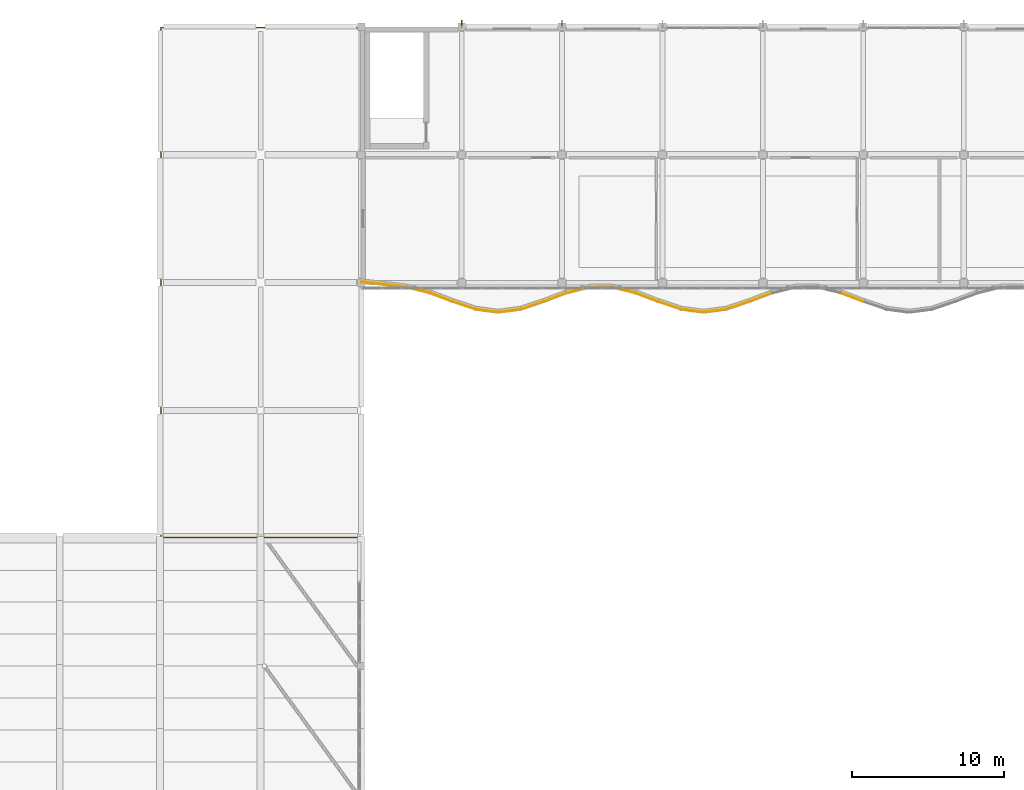
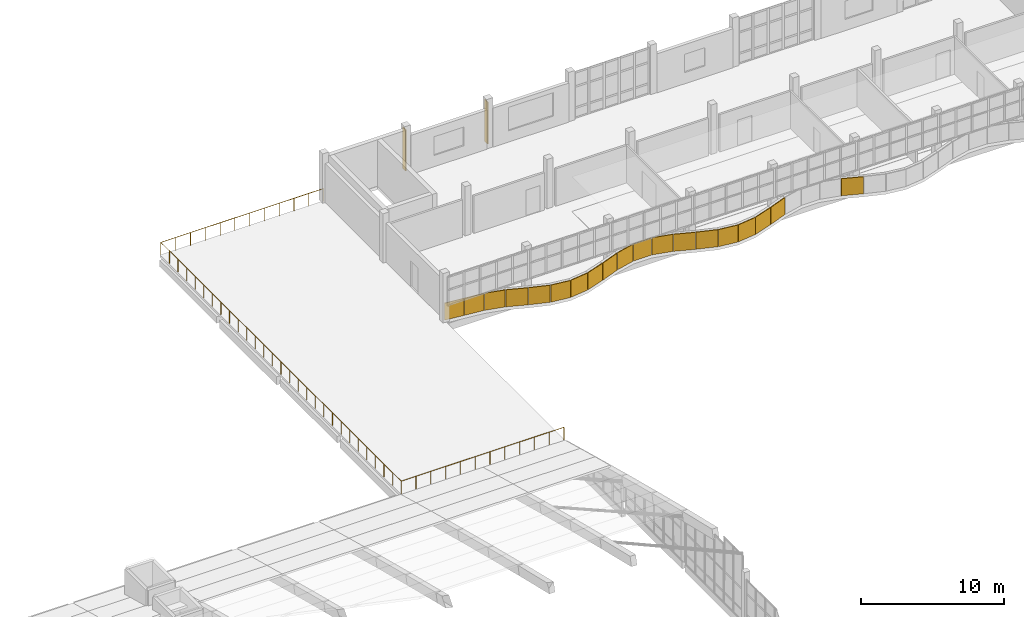
# One storey, part 72 of 78: 19 coverings, 2 shading devices, 1 railing.
"""IFC4 building model written with IfcOpenShell, lengths in metres."""

import ifcopenshell
import ifcopenshell.guid

model = None  # the IFC model being written
_history = None  # IfcOwnerHistory: only IFC2X3 demands one
_inside = {}  # id of a spatial element -> (the spatial element, [elements in it])
_under = {}  # id of a project, library or spatial element -> (it, [spatial elements below it])
_declared = {}  # id of a project -> (the project, [libraries it declares])
_typed = {}  # id of a type object -> (the type object, [elements of that type])
_made_of = {}  # id of a material, layer set ... -> (it, [elements and type objects made of it])


def new_model(schema):
    """Start an empty IFC model of exactly this schema.

    Asked for "IFC4X3", IfcOpenShell would pick the latest addendum, in which some entities
    have other attributes; the version numbers below select the first issue.
    IFC2X3 requires an IfcOwnerHistory on every rooted entity: one is made here for all.
    """
    global model, _history
    if schema == "IFC4X3":
        model = ifcopenshell.file(schema_version=(4, 3, 0, 0))
    else:
        model = ifcopenshell.file(schema=schema)
    _inside.clear()
    _under.clear()
    _declared.clear()
    _typed.clear()
    _made_of.clear()
    _history = None
    if model.schema == "IFC2X3":
        org = make("IfcOrganization", Name="unknown")
        user = make(
            "IfcPersonAndOrganization",
            ThePerson=make("IfcPerson", FamilyName="unknown"),
            TheOrganization=org,
        )
        app = make(
            "IfcApplication",
            ApplicationDeveloper=org,
            Version="unknown",
            ApplicationFullName="unknown",
            ApplicationIdentifier="unknown",
        )
        _history = make(
            "IfcOwnerHistory",
            OwningUser=user,
            OwningApplication=app,
            ChangeAction="ADDED",
            CreationDate=0,
        )
    return model


def make(cls, **values):
    """One entity of the class cls with the attributes given. An attribute that is None is left unset."""
    return model.create_entity(
        cls, **{name: value for name, value in values.items() if value is not None}
    )


def rooted(cls, **values):
    """An entity with a GlobalId (a new one), such as an element, a storey or a relation."""
    return make(cls, GlobalId=ifcopenshell.guid.new(), OwnerHistory=_history, **values)


def si_unit(unit_type, name, prefix=None):
    """IfcSIUnit, for example si_unit("LENGTHUNIT", "METRE", prefix="MILLI")."""
    return make("IfcSIUnit", UnitType=unit_type, Prefix=prefix, Name=name)


def assignment(units):
    """IfcUnitAssignment: the units of a project."""
    return None if units is None else make("IfcUnitAssignment", Units=units)


def point(xyz):
    """IfcCartesianPoint."""
    return None if xyz is None else make("IfcCartesianPoint", Coordinates=xyz)


def direction(xyz):
    """IfcDirection."""
    return None if xyz is None else make("IfcDirection", DirectionRatios=xyz)


def frame(location, z_axis=None, x_axis=None):
    """IfcAxis2Placement3D, a coordinate frame: its origin and axes. An axis left out is left unset."""
    return make(
        "IfcAxis2Placement3D",
        Location=point(location),
        Axis=direction(z_axis),
        RefDirection=direction(x_axis),
    )


def frame_2d(location, x_axis=None):
    """IfcAxis2Placement2D, a coordinate frame in the plane: its origin and x axis."""
    return make(
        "IfcAxis2Placement2D", Location=point(location), RefDirection=direction(x_axis)
    )


def origin():
    """The frame at (0, 0, 0) with its axes left unset."""
    return frame((0.0, 0.0, 0.0))


def origin_2d():
    """The frame at (0, 0) in the plane with its x axis left unset."""
    return frame_2d((0.0, 0.0))


def place(relative_to, where):
    """IfcLocalPlacement: puts the frame where relative to a parent placement (None: the world)."""
    return make(
        "IfcLocalPlacement", PlacementRelTo=relative_to, RelativePlacement=where
    )


def context(
    kind, dimensions, precision=None, world=None, true_north=None, identifier=None
):
    """IfcGeometricRepresentationContext, for example the 3D "Model" context."""
    return make(
        "IfcGeometricRepresentationContext",
        ContextIdentifier=identifier,
        ContextType=kind,
        CoordinateSpaceDimension=dimensions,
        Precision=precision,
        WorldCoordinateSystem=world,
        TrueNorth=true_north,
    )


def subcontext(parent, identifier, kind, view, scale=None):
    """IfcGeometricRepresentationSubContext, for example "Body" below "Model"."""
    return make(
        "IfcGeometricRepresentationSubContext",
        ContextIdentifier=identifier,
        ContextType=kind,
        ParentContext=parent,
        TargetScale=scale,
        TargetView=view,
    )


def project(units=None, contexts=None):
    """IfcProject with its units and contexts."""
    return rooted(
        "IfcProject",
        Name="project",
        RepresentationContexts=contexts,
        UnitsInContext=assignment(units),
    )


def spatial(cls, under=None, at=None, **own):
    """A site, building, storey or space (cls), placed at a placement, below another one or the project."""
    s = rooted(cls, ObjectPlacement=at, **own)
    if under is not None:
        _under.setdefault(under.id(), (under, []))[1].append(s)
    return s


def profile(cls, at=None, kind="AREA", **sizes):
    """A parametric profile (cls). Its sizes go by their IFC names, for example OverallWidth=200.0."""
    return make(cls, ProfileType=kind, Position=at, **sizes)


def rectangle(**sizes):
    """IfcRectangleProfileDef."""
    return profile("IfcRectangleProfileDef", **sizes)


def circle(**sizes):
    """IfcCircleProfileDef."""
    return profile("IfcCircleProfileDef", **sizes)


def extrude(swept, where, along, depth):
    """IfcExtrudedAreaSolid: the profile swept, set in the frame where, extruded along a direction by depth."""
    return make(
        "IfcExtrudedAreaSolid",
        SweptArea=swept,
        Position=where,
        ExtrudedDirection=direction(along),
        Depth=depth,
    )


def shape(context_of_items, identifier, shape_type, items):
    """IfcShapeRepresentation: the items that make up one representation, for example the "Body"."""
    return make(
        "IfcShapeRepresentation",
        ContextOfItems=context_of_items,
        RepresentationIdentifier=identifier,
        RepresentationType=shape_type,
        Items=items,
    )


def material(Name=None, Category=None):
    """IfcMaterial."""
    return make("IfcMaterial", Name=Name, Category=Category)


def layer(
    of_material, thickness, ventilated=None, Name=None, Category=None, Priority=None
):
    """IfcMaterialLayer: one layer of a wall or slab, of a material (None: an air gap)."""
    return make(
        "IfcMaterialLayer",
        Material=of_material,
        LayerThickness=thickness,
        IsVentilated=ventilated,
        Name=Name,
        Category=Category,
        Priority=Priority,
    )


def layer_set(layers, Name=None):
    """IfcMaterialLayerSet."""
    return make("IfcMaterialLayerSet", MaterialLayers=layers, LayerSetName=Name)


def made_of(thing, what):
    """Note that an element or type object is made of a material, layer set ...; save() writes the relation."""
    if what is not None:
        _made_of.setdefault(what.id(), (what, []))[1].append(thing)
    return thing


def type_object(cls, material=None, **own):
    """A type object (cls), such as IfcWallType, which elements share."""
    return made_of(rooted(cls, **own), material)


def element(
    cls,
    number,
    at=None,
    inside=None,
    cuts=None,
    type_object=None,
    material=None,
    context=None,
    identifier="Body",
    shape_type=None,
    held_by="IfcProductDefinitionShape",
    body=None,
    shapes=None,
    **own,
):
    """One element of the class cls, such as IfcWall. Its Tag is "e" and its number.

    at: its placement. inside: the storey or other place that contains it. cuts: it is an
    opening in that element (IfcRelVoidsElement). A single representation is given by context,
    identifier, shape_type and body (its items); several are given by shapes. held_by: the class
    of the entity that holds the representations. save() writes the other relations.
    """
    e = rooted(cls, Tag="e%d" % number, ObjectPlacement=at, **own)
    if body is not None:
        shapes = [shape(context, identifier, shape_type, body)]
    if shapes is not None:
        e.Representation = make(held_by, Representations=shapes)
    if inside is not None:
        _inside.setdefault(inside.id(), (inside, []))[1].append(e)
    if cuts is not None:
        rooted(
            "IfcRelVoidsElement", RelatingBuildingElement=cuts, RelatedOpeningElement=e
        )
    if type_object is not None:
        _typed.setdefault(type_object.id(), (type_object, []))[1].append(e)
    return made_of(e, material)


def aggregate(whole, parts):
    """IfcRelAggregates: a whole, such as a stair, and the parts it consists of."""
    return rooted("IfcRelAggregates", RelatingObject=whole, RelatedObjects=parts)


def save(model, path):
    """Write the relations noted so far, then the file.

    IfcRelAggregates (storeys below a building ...), IfcRelContainedInSpatialStructure (elements
    in a storey), IfcRelDefinesByType, IfcRelAssociatesMaterial and IfcRelDeclares: one each for
    every whole, place, type object, material and project.
    """
    for whole, parts in _under.values():
        aggregate(whole, parts)
    for where, things in _inside.values():
        rooted(
            "IfcRelContainedInSpatialStructure",
            RelatedElements=things,
            RelatingStructure=where,
        )
    for kind, things in _typed.values():
        rooted("IfcRelDefinesByType", RelatedObjects=things, RelatingType=kind)
    for what, things in _made_of.values():
        rooted("IfcRelAssociatesMaterial", RelatedObjects=things, RelatingMaterial=what)
    for by, libraries in _declared.values():
        rooted("IfcRelDeclares", RelatingContext=by, RelatedDefinitions=libraries)
    model.write(path)


model = new_model("IFC4")

# Units and contexts
model_context = context("Model", 3, precision=1e-05, world=origin(), true_north=direction((0.0, 1.0)))
body_context = subcontext(model_context, "Body", "Model", "MODEL_VIEW")
ifc_project = project(units=[si_unit("LENGTHUNIT", "METRE"), si_unit("AREAUNIT", "SQUARE_METRE"), si_unit("VOLUMEUNIT", "CUBIC_METRE"), si_unit("PLANEANGLEUNIT", "RADIAN"), si_unit("MASSUNIT", "GRAM", prefix="KILO")], contexts=[model_context])

# Site, building, storey
site_placement = place(None, origin())
site = spatial("IfcSite", under=ifc_project, at=site_placement, CompositionType="ELEMENT")
building_placement = place(site_placement, origin())
building = spatial("IfcBuilding", under=site, at=building_placement, Name="Qaldarim Faculty of Natural and Applied Sciences", CompositionType="ELEMENT")
storey_placement = place(building_placement, frame((0.0, 0.0, 18.60009765625)))
storey = spatial("IfcBuildingStorey", under=building, at=storey_placement, Name="L04", CompositionType="ELEMENT", Elevation=18.60009765625)

# Railing
ifc_material_1 = material(Name="Architectural stainless steel 316", Category="steel")
railing_type = type_object("IfcRailingType", Name="ExteriorGuardBalustrade-1100", PredefinedType="BALUSTRADE", material=ifc_material_1)
railing_placement = place(storey_placement, frame((46.14990234375, 84.050048828125, 0.0)))
element("IfcRailing", 1, at=railing_placement, inside=storey, type_object=railing_type, Name="Safety guard balustrade GRD-TER-L04-V4W", PredefinedType="BALUSTRADE", context=body_context, shape_type="SweptSolid", body=[
    extrude(circle(Radius=0.02392578125, at=origin_2d()), frame((-0.00390625, 0.0, 1.076171875), z_axis=(-1.0, 0.0, 0.0), x_axis=(0.0, -1.0, 0.0)), (0.0, 0.0, 1.0), 13.091796875),
    extrude(circle(Radius=0.02392578125, at=origin_2d()), frame((-13.099853515625, 0.00390625, 1.076171875), z_axis=(0.0, 1.0, 0.0), x_axis=(-1.0, 0.0, 0.0)), (0.0, 0.0, 1.0), 33.491943359375),
    extrude(circle(Radius=0.02392578125, at=origin_2d()), frame((-13.095947265625, 33.5, 1.076171875), z_axis=(1.0, 0.0, 0.0), x_axis=(0.0, 1.0, 0.0)), (0.0, 0.0, 1.0), 13.091796875),
    extrude(circle(Radius=0.02099609375, at=origin_2d()), origin(), (0.0, 0.0, 1.0), 1.052001953125),
    extrude(circle(Radius=0.02099609375, at=origin_2d()), frame((-1.19091796875, 0.0, 0.0)), (0.0, 0.0, 1.0), 1.052001953125),
    extrude(circle(Radius=0.02099609375, at=origin_2d()), frame((-2.3818359375, 0.0, 0.0)), (0.0, 0.0, 1.0), 1.052001953125),
    extrude(circle(Radius=0.02099609375, at=origin_2d()), frame((-3.57275390625, 0.0, 0.0)), (0.0, 0.0, 1.0), 1.052001953125),
    extrude(circle(Radius=0.02099609375, at=origin_2d()), frame((-4.763671875, 0.0, 0.0)), (0.0, 0.0, 1.0), 1.052001953125),
    extrude(circle(Radius=0.02099609375, at=origin_2d()), frame((-5.95458984375, 0.0, 0.0)), (0.0, 0.0, 1.0), 1.052001953125),
    extrude(circle(Radius=0.02099609375, at=origin_2d()), frame((-7.145263671875, 0.0, 0.0)), (0.0, 0.0, 1.0), 1.052001953125),
    extrude(circle(Radius=0.02099609375, at=origin_2d()), frame((-8.336181640625, 0.0, 0.0)), (0.0, 0.0, 1.0), 1.052001953125),
    extrude(circle(Radius=0.02099609375, at=origin_2d()), frame((-9.527099609375, 0.0, 0.0)), (0.0, 0.0, 1.0), 1.052001953125),
    extrude(circle(Radius=0.02099609375, at=origin_2d()), frame((-10.718017578125, 0.0, 0.0)), (0.0, 0.0, 1.0), 1.052001953125),
    extrude(circle(Radius=0.02099609375, at=origin_2d()), frame((-11.908935546875, 0.0, 0.0)), (0.0, 0.0, 1.0), 1.052001953125),
    extrude(circle(Radius=0.02099609375, at=origin_2d()), frame((-13.099853515625, 0.0, 0.0)), (0.0, 0.0, 1.0), 1.052001953125),
    extrude(circle(Radius=0.02099609375, at=origin_2d()), frame((-13.099853515625, 1.196533203125, 0.0)), (0.0, 0.0, 1.0), 1.052001953125),
    extrude(circle(Radius=0.02099609375, at=origin_2d()), frame((-13.099853515625, 2.392822265625, 0.0)), (0.0, 0.0, 1.0), 1.052001953125),
    extrude(circle(Radius=0.02099609375, at=origin_2d()), frame((-13.099853515625, 3.58935546875, 0.0)), (0.0, 0.0, 1.0), 1.052001953125),
    extrude(circle(Radius=0.02099609375, at=origin_2d()), frame((-13.099853515625, 4.78564453125, 0.0)), (0.0, 0.0, 1.0), 1.052001953125),
    extrude(circle(Radius=0.02099609375, at=origin_2d()), frame((-13.099853515625, 5.982177734375, 0.0)), (0.0, 0.0, 1.0), 1.052001953125),
    extrude(circle(Radius=0.02099609375, at=origin_2d()), frame((-13.099853515625, 7.178466796875, 0.0)), (0.0, 0.0, 1.0), 1.052001953125),
    extrude(circle(Radius=0.02099609375, at=origin_2d()), frame((-13.099853515625, 8.375, 0.0)), (0.0, 0.0, 1.0), 1.052001953125),
    extrude(circle(Radius=0.02099609375, at=origin_2d()), frame((-13.099853515625, 9.571533203125, 0.0)), (0.0, 0.0, 1.0), 1.052001953125),
    extrude(circle(Radius=0.02099609375, at=origin_2d()), frame((-13.099853515625, 10.767822265625, 0.0)), (0.0, 0.0, 1.0), 1.052001953125),
    extrude(circle(Radius=0.02099609375, at=origin_2d()), frame((-13.099853515625, 11.96435546875, 0.0)), (0.0, 0.0, 1.0), 1.052001953125),
    extrude(circle(Radius=0.02099609375, at=origin_2d()), frame((-13.099853515625, 13.16064453125, 0.0)), (0.0, 0.0, 1.0), 1.052001953125),
    extrude(circle(Radius=0.02099609375, at=origin_2d()), frame((-13.099853515625, 14.357177734375, 0.0)), (0.0, 0.0, 1.0), 1.052001953125),
    extrude(circle(Radius=0.02099609375, at=origin_2d()), frame((-13.099853515625, 15.553466796875, 0.0)), (0.0, 0.0, 1.0), 1.052001953125),
    extrude(circle(Radius=0.02099609375, at=origin_2d()), frame((-13.099853515625, 16.75, 0.0)), (0.0, 0.0, 1.0), 1.052001953125),
    extrude(circle(Radius=0.02099609375, at=origin_2d()), frame((-13.099853515625, 17.946533203125, 0.0)), (0.0, 0.0, 1.0), 1.052001953125),
    extrude(circle(Radius=0.02099609375, at=origin_2d()), frame((-13.099853515625, 19.142822265625, 0.0)), (0.0, 0.0, 1.0), 1.052001953125),
    extrude(circle(Radius=0.02099609375, at=origin_2d()), frame((-13.099853515625, 20.33935546875, 0.0)), (0.0, 0.0, 1.0), 1.052001953125),
    extrude(circle(Radius=0.02099609375, at=origin_2d()), frame((-13.099853515625, 21.53564453125, 0.0)), (0.0, 0.0, 1.0), 1.052001953125),
    extrude(circle(Radius=0.02099609375, at=origin_2d()), frame((-13.099853515625, 22.732177734375, 0.0)), (0.0, 0.0, 1.0), 1.052001953125),
    extrude(circle(Radius=0.02099609375, at=origin_2d()), frame((-13.099853515625, 23.928466796875, 0.0)), (0.0, 0.0, 1.0), 1.052001953125),
    extrude(circle(Radius=0.02099609375, at=origin_2d()), frame((-13.099853515625, 25.125, 0.0)), (0.0, 0.0, 1.0), 1.052001953125),
    extrude(circle(Radius=0.02099609375, at=origin_2d()), frame((-13.099853515625, 26.321533203125, 0.0)), (0.0, 0.0, 1.0), 1.052001953125),
    extrude(circle(Radius=0.02099609375, at=origin_2d()), frame((-13.099853515625, 27.517822265625, 0.0)), (0.0, 0.0, 1.0), 1.052001953125),
    extrude(circle(Radius=0.02099609375, at=origin_2d()), frame((-13.099853515625, 28.71435546875, 0.0)), (0.0, 0.0, 1.0), 1.052001953125),
    extrude(circle(Radius=0.02099609375, at=origin_2d()), frame((-13.099853515625, 29.91064453125, 0.0)), (0.0, 0.0, 1.0), 1.052001953125),
    extrude(circle(Radius=0.02099609375, at=origin_2d()), frame((-13.099853515625, 31.107177734375, 0.0)), (0.0, 0.0, 1.0), 1.052001953125),
    extrude(circle(Radius=0.02099609375, at=origin_2d()), frame((-13.099853515625, 32.303466796875, 0.0)), (0.0, 0.0, 1.0), 1.052001953125),
    extrude(circle(Radius=0.02099609375, at=origin_2d()), frame((-13.099853515625, 33.5, 0.0)), (0.0, 0.0, 1.0), 1.052001953125),
    extrude(circle(Radius=0.02099609375, at=origin_2d()), frame((-11.908935546875, 33.5, 0.0)), (0.0, 0.0, 1.0), 1.052001953125),
    extrude(circle(Radius=0.02099609375, at=origin_2d()), frame((-10.718017578125, 33.5, 0.0)), (0.0, 0.0, 1.0), 1.052001953125),
    extrude(circle(Radius=0.02099609375, at=origin_2d()), frame((-9.527099609375, 33.5, 0.0)), (0.0, 0.0, 1.0), 1.052001953125),
    extrude(circle(Radius=0.02099609375, at=origin_2d()), frame((-8.336181640625, 33.5, 0.0)), (0.0, 0.0, 1.0), 1.052001953125),
    extrude(circle(Radius=0.02099609375, at=origin_2d()), frame((-7.145263671875, 33.5, 0.0)), (0.0, 0.0, 1.0), 1.052001953125),
    extrude(circle(Radius=0.02099609375, at=origin_2d()), frame((-5.95458984375, 33.5, 0.0)), (0.0, 0.0, 1.0), 1.052001953125),
    extrude(circle(Radius=0.02099609375, at=origin_2d()), frame((-4.763671875, 33.5, 0.0)), (0.0, 0.0, 1.0), 1.052001953125),
    extrude(circle(Radius=0.02099609375, at=origin_2d()), frame((-3.57275390625, 33.5, 0.0)), (0.0, 0.0, 1.0), 1.052001953125),
    extrude(circle(Radius=0.02099609375, at=origin_2d()), frame((-2.3818359375, 33.5, 0.0)), (0.0, 0.0, 1.0), 1.052001953125),
    extrude(circle(Radius=0.02099609375, at=origin_2d()), frame((-1.19091796875, 33.5, 0.0)), (0.0, 0.0, 1.0), 1.052001953125),
    extrude(circle(Radius=0.02099609375, at=origin_2d()), frame((0.0, 33.5, 0.0)), (0.0, 0.0, 1.0), 1.052001953125),
])

# Coverings
ifc_material_2 = material(Name="White architectural precast concrete C40/50", Category="concrete")
ifc_layer_1 = layer(ifc_material_2, 0.06005859375)
ifc_layer_set_1 = layer_set([ifc_layer_1], Name="White architectural precast concrete C40/50")
covering_type = type_object("IfcCoveringType", Name="LimestoneSpandrelCladding-60", PredefinedType="CLADDING", material=ifc_layer_set_1)
for number, where, z_axis, x_axis, name in (
    (2, (46.949951171875, 100.7451171875, 0.0), (0.0, 0.0, 1.0), (0.993263998715, -0.115873331082, 0.0), "White limestone wave band fascia L04 chord 01"),
    (3, (48.449951171875, 100.570068359375, 0.0), (0.0, 0.0, 1.0), (0.993263998715, -0.115873331082, 0.0), "White limestone wave band fascia L04 chord 02"),
):
    element("IfcCovering", number, at=place(storey_placement, frame(where, z_axis=z_axis, x_axis=x_axis)), inside=storey, type_object=covering_type, Name=name, PredefinedType="CLADDING", context=body_context, shape_type="SweptSolid", body=[
        extrude(rectangle(XDim=1.469970703125, YDim=0.06005859375, at=origin_2d()), origin(), (0.0, 0.0, 1.0), 1.449951171875),
    ])
covering_1_placement = place(storey_placement, frame((49.9599609375, 100.294921875, 0.0), z_axis=(0.0, 0.0, 1.0), x_axis=(0.970900677218, -0.239482514971, 0.0)))
element("IfcCovering", 4, at=covering_1_placement, inside=storey, type_object=covering_type, Name="White limestone wave band fascia L04 chord 03", PredefinedType="CLADDING", context=body_context, shape_type="SweptSolid", body=[
    extrude(rectangle(XDim=1.5048828125, YDim=0.06005859375, at=origin_2d()), origin(), (0.0, 0.0, 1.0), 1.449951171875),
])
covering_2_placement = place(storey_placement, frame((51.4599609375, 99.820068359375, 0.0), z_axis=(0.0, 0.0, 1.0), x_axis=(0.93374919975, -0.357927970359, 0.0)))
element("IfcCovering", 5, at=covering_2_placement, inside=storey, type_object=covering_type, Name="White limestone wave band fascia L04 chord 04", PredefinedType="CLADDING", context=body_context, shape_type="SweptSolid", body=[
    extrude(rectangle(XDim=1.56494140625, YDim=0.06005859375, at=origin_2d()), origin(), (0.0, 0.0, 1.0), 1.449951171875),
])
covering_3_placement = place(storey_placement, frame((52.9599609375, 99.284912109375, 0.0), z_axis=(0.0, 0.0, 1.0), x_axis=(0.947729434705, -0.319075098672, 0.0)))
element("IfcCovering", 6, at=covering_3_placement, inside=storey, type_object=covering_type, Name="White limestone wave band fascia L04 chord 05", PredefinedType="CLADDING", context=body_context, shape_type="SweptSolid", body=[
    extrude(rectangle(XDim=1.544921875, YDim=0.06005859375, at=origin_2d()), origin(), (0.0, 0.0, 1.0), 1.449951171875),
])
for number, where, z_axis, x_axis, name in (
    (7, (54.455078125, 98.929931640625, 0.0), (0.0, 0.0, 1.0), (0.991227078025, -0.13216988988, 0.0), "White limestone wave band fascia L04 chord 06"),
    (8, (55.945068359375, 98.929931640625, 0.0), (0.0, 0.0, 1.0), (0.991655419632, 0.128916751104, 0.0), "White limestone wave band fascia L04 chord 07"),
):
    element("IfcCovering", number, at=place(storey_placement, frame(where, z_axis=z_axis, x_axis=x_axis)), inside=storey, type_object=covering_type, Name=name, PredefinedType="CLADDING", context=body_context, shape_type="SweptSolid", body=[
        extrude(rectangle(XDim=1.47509765625, YDim=0.06005859375, at=origin_2d()), origin(), (0.0, 0.0, 1.0), 1.449951171875),
    ])
covering_4_placement = place(storey_placement, frame((57.43994140625, 99.280029296875, 0.0), z_axis=(0.0, 0.0, 1.0), x_axis=(0.947729434705, 0.319075098672, 0.0)))
element("IfcCovering", 9, at=covering_4_placement, inside=storey, type_object=covering_type, Name="White limestone wave band fascia L04 chord 08", PredefinedType="CLADDING", context=body_context, shape_type="SweptSolid", body=[
    extrude(rectangle(XDim=1.544921875, YDim=0.06005859375, at=origin_2d()), origin(), (0.0, 0.0, 1.0), 1.449951171875),
])
covering_5_placement = place(storey_placement, frame((58.93994140625, 99.81005859375, 0.0), z_axis=(0.0, 0.0, 1.0), x_axis=(0.93478228492, 0.35522117026, 0.0)))
element("IfcCovering", 10, at=covering_5_placement, inside=storey, type_object=covering_type, Name="White limestone wave band fascia L04 chord 09", PredefinedType="CLADDING", context=body_context, shape_type="SweptSolid", body=[
    extrude(rectangle(XDim=1.56494140625, YDim=0.06005859375, at=origin_2d()), origin(), (0.0, 0.0, 1.0), 1.449951171875),
])
covering_6_placement = place(storey_placement, frame((60.43994140625, 100.284912109375, 0.0), z_axis=(0.0, 0.0, 1.0), x_axis=(0.970143530747, 0.242531502591, 0.0)))
element("IfcCovering", 11, at=covering_6_placement, inside=storey, type_object=covering_type, Name="White limestone wave band fascia L04 chord 10", PredefinedType="CLADDING", context=body_context, shape_type="SweptSolid", body=[
    extrude(rectangle(XDim=1.5048828125, YDim=0.06005859375, at=origin_2d()), origin(), (0.0, 0.0, 1.0), 1.449951171875),
])
covering_7_placement = place(storey_placement, frame((61.949951171875, 100.47998046875, 0.0), z_axis=(0.0, 0.0, 1.0), x_axis=(0.999994443631, 0.003333572697, 0.0)))
element("IfcCovering", 12, at=covering_7_placement, inside=storey, type_object=covering_type, Name="White limestone wave band fascia L04 chord 11", PredefinedType="CLADDING", context=body_context, shape_type="SweptSolid", body=[
    extrude(rectangle(XDim=1.4599609375, YDim=0.06005859375, at=origin_2d()), origin(), (0.0, 0.0, 1.0), 1.449951171875),
])
covering_8_placement = place(storey_placement, frame((63.4599609375, 100.294921875, 0.0), z_axis=(0.0, 0.0, 1.0), x_axis=(0.970900677218, -0.239482514971, 0.0)))
element("IfcCovering", 13, at=covering_8_placement, inside=storey, type_object=covering_type, Name="White limestone wave band fascia L04 chord 12", PredefinedType="CLADDING", context=body_context, shape_type="SweptSolid", body=[
    extrude(rectangle(XDim=1.5048828125, YDim=0.06005859375, at=origin_2d()), origin(), (0.0, 0.0, 1.0), 1.449951171875),
])
covering_9_placement = place(storey_placement, frame((64.9599609375, 99.820068359375, 0.0), z_axis=(0.0, 0.0, 1.0), x_axis=(0.93374919975, -0.357927970359, 0.0)))
element("IfcCovering", 14, at=covering_9_placement, inside=storey, type_object=covering_type, Name="White limestone wave band fascia L04 chord 13", PredefinedType="CLADDING", context=body_context, shape_type="SweptSolid", body=[
    extrude(rectangle(XDim=1.56494140625, YDim=0.06005859375, at=origin_2d()), origin(), (0.0, 0.0, 1.0), 1.449951171875),
])
covering_10_placement = place(storey_placement, frame((66.4599609375, 99.284912109375, 0.0), z_axis=(0.0, 0.0, 1.0), x_axis=(0.947729434705, -0.319075098672, 0.0)))
element("IfcCovering", 15, at=covering_10_placement, inside=storey, type_object=covering_type, Name="White limestone wave band fascia L04 chord 14", PredefinedType="CLADDING", context=body_context, shape_type="SweptSolid", body=[
    extrude(rectangle(XDim=1.544921875, YDim=0.06005859375, at=origin_2d()), origin(), (0.0, 0.0, 1.0), 1.449951171875),
])
for number, where, z_axis, x_axis, name in (
    (16, (67.955078125, 98.929931640625, 0.0), (0.0, 0.0, 1.0), (0.991227078025, -0.13216988988, 0.0), "White limestone wave band fascia L04 chord 15"),
    (17, (69.445068359375, 98.929931640625, 0.0), (0.0, 0.0, 1.0), (0.991655419632, 0.128916751104, 0.0), "White limestone wave band fascia L04 chord 16"),
):
    element("IfcCovering", number, at=place(storey_placement, frame(where, z_axis=z_axis, x_axis=x_axis)), inside=storey, type_object=covering_type, Name=name, PredefinedType="CLADDING", context=body_context, shape_type="SweptSolid", body=[
        extrude(rectangle(XDim=1.47509765625, YDim=0.06005859375, at=origin_2d()), origin(), (0.0, 0.0, 1.0), 1.449951171875),
    ])
covering_11_placement = place(storey_placement, frame((70.93994140625, 99.280029296875, 0.0), z_axis=(0.0, 0.0, 1.0), x_axis=(0.947729434705, 0.319075098672, 0.0)))
element("IfcCovering", 18, at=covering_11_placement, inside=storey, type_object=covering_type, Name="White limestone wave band fascia L04 chord 17", PredefinedType="CLADDING", context=body_context, shape_type="SweptSolid", body=[
    extrude(rectangle(XDim=1.544921875, YDim=0.06005859375, at=origin_2d()), origin(), (0.0, 0.0, 1.0), 1.449951171875),
])
for number, where, z_axis, x_axis, name in (
    (19, (72.43994140625, 99.81005859375, 0.0), (0.0, 0.0, 1.0), (0.93478228492, 0.35522117026, 0.0), "White limestone wave band fascia L04 chord 18"),
    (20, (78.4599609375, 99.820068359375, 0.0), (0.0, 0.0, 1.0), (0.93374919975, -0.357927970359, 0.0), "White limestone wave band fascia L04 chord 22"),
):
    element("IfcCovering", number, at=place(storey_placement, frame(where, z_axis=z_axis, x_axis=x_axis)), inside=storey, type_object=covering_type, Name=name, PredefinedType="CLADDING", context=body_context, shape_type="SweptSolid", body=[
        extrude(rectangle(XDim=1.56494140625, YDim=0.06005859375, at=origin_2d()), origin(), (0.0, 0.0, 1.0), 1.449951171875),
    ])

# Shading devices
ifc_material_3 = material(Name="Champagne anodised aluminium AW-6063", Category="aluminium")
ifc_layer_2 = layer(ifc_material_3, 0.06005859375)
ifc_layer_set_2 = layer_set([ifc_layer_2], Name="Champagne anodised aluminium AW-6063")
shading_device_type = type_object("IfcShadingDeviceType", Name="VerticalSunFin-ALU450x60", PredefinedType="SHUTTER", material=ifc_layer_set_2)
for number, where, z_axis, x_axis, name in (
    (21, (52.800048828125, 117.824951171875, 0.199951171875), (0.0, 0.0, 1.0), (1.0, 0.0, 0.0), "North pier fin FIN-V4N-L04-X09"),
    (22, (59.39990234375, 117.824951171875, 0.199951171875), (0.0, 0.0, 1.0), (1.0, 0.0, 0.0), "North pier fin FIN-V4N-L04-X10"),
):
    element("IfcShadingDevice", number, at=place(storey_placement, frame(where, z_axis=z_axis, x_axis=x_axis)), inside=storey, type_object=shading_device_type, Name=name, PredefinedType="SHUTTER", context=body_context, shape_type="SweptSolid", body=[
        extrude(rectangle(XDim=0.06005859375, YDim=0.449951171875, at=origin_2d()), origin(), (0.0, 0.0, 1.0), 3.5400390625),
    ])

save(model, "model.ifc")
